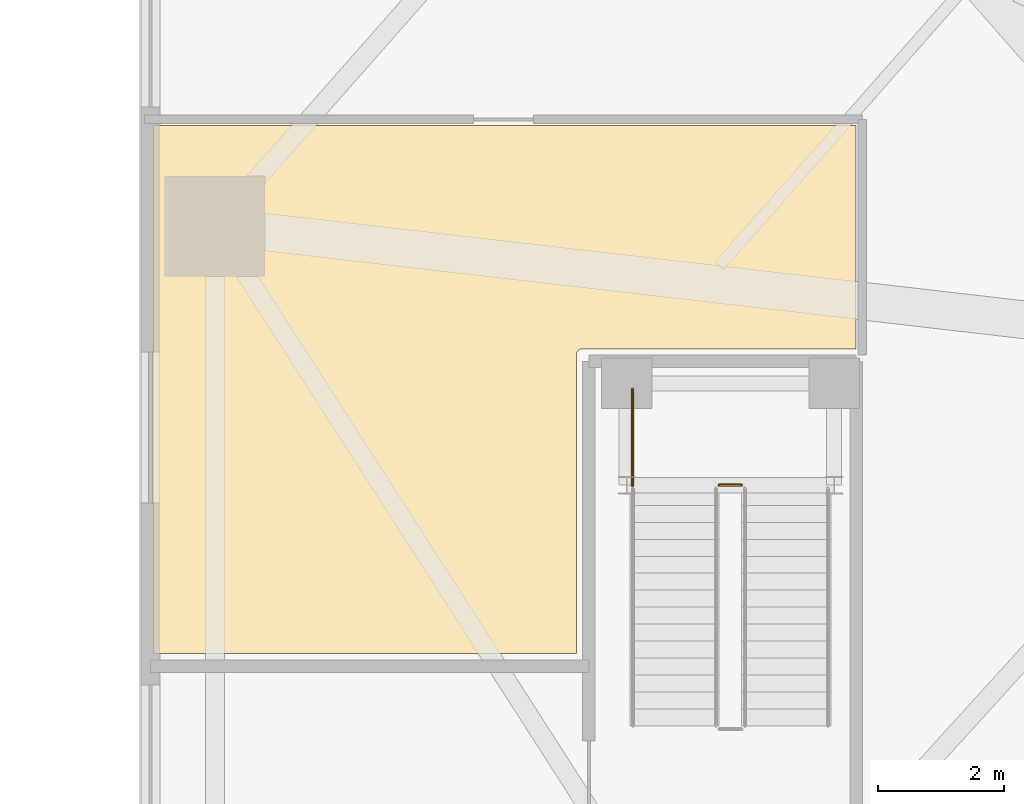
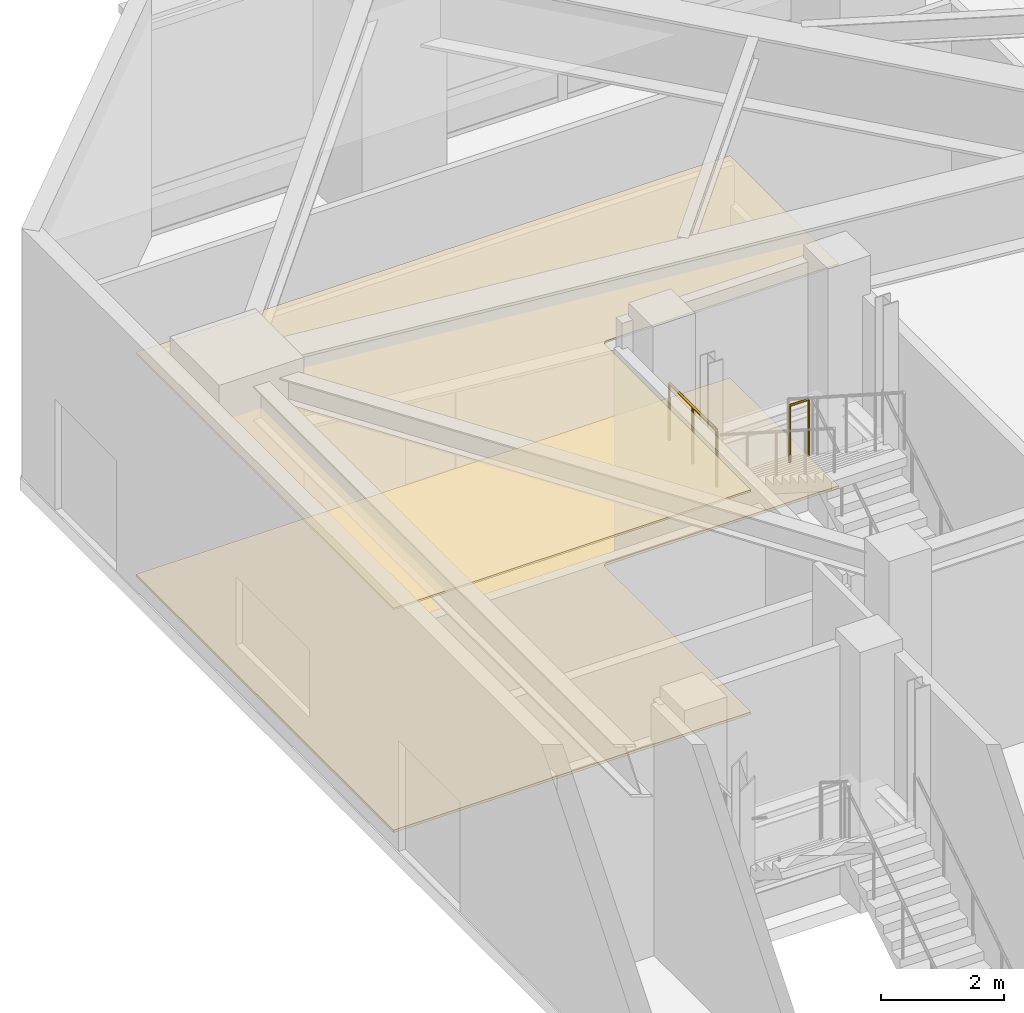
# One storey, part 25 of 30: 2 coverings, 2 railings.
"""IFC4 building model written with IfcOpenShell, lengths in metres."""

from ifc_helpers import new_model, si_unit, direction, frame, origin, origin_2d, place, context, subcontext, project, spatial, polyline, circle, outline, extrude, material, layer, layer_set, type_object, element, save


model = new_model("IFC4")

# Units and contexts
model_context = context("Model", 3, precision=1e-05, world=origin(), true_north=direction((0.0, 1.0)))
body_context = subcontext(model_context, "Body", "Model", "MODEL_VIEW")
ifc_project = project(units=[si_unit("LENGTHUNIT", "METRE"), si_unit("AREAUNIT", "SQUARE_METRE"), si_unit("VOLUMEUNIT", "CUBIC_METRE"), si_unit("PLANEANGLEUNIT", "RADIAN"), si_unit("MASSUNIT", "GRAM", prefix="KILO")], contexts=[model_context])

# Site, building, storey
site_placement = place(None, origin())
site = spatial("IfcSite", under=ifc_project, at=site_placement, CompositionType="ELEMENT")
building_placement = place(site_placement, origin())
building = spatial("IfcBuilding", under=site, at=building_placement, Name="Terralouvre Media Tower", CompositionType="ELEMENT")
storey_placement = place(building_placement, origin())
storey = spatial("IfcBuildingStorey", under=building, at=storey_placement, Name="L00", CompositionType="ELEMENT", Elevation=0.0)

# Coverings
ifc_material_1 = material(Name="Resilient elastomer acoustic broadcast studio flooring")
ifc_layer_1 = layer(ifc_material_1, 0.050048828125, Name="Broadcast Studio Acoustic Floating Floor FL-AC1")
ifc_layer_set_1 = layer_set([ifc_layer_1], Name="Resilient elastomer acoustic broadcast studio flooring")
covering_type_1 = type_object("IfcCoveringType", Name="Broadcast Studio Acoustic Floating Floor FL-AC1", PredefinedType="FLOORING", material=ifc_layer_set_1)
covering_1_placement = place(storey_placement, origin())
element("IfcCovering", 1, at=covering_1_placement, inside=storey, type_object=covering_type_1, Name="L00 Media Heritage Exhibition Hall Acoustic Floating Floor", PredefinedType="FLOORING", context=body_context, shape_type="SweptSolid", body=[
    extrude(outline(polyline([(-36.780029296875, 25.10009765625), (-36.780029296875, 16.699951171875), (-30.050048828125, 16.699951171875), (-30.050048828125, 21.449951171875), (-30.049560546875, 21.459716796875), (-30.048095703125, 21.469482421875), (-30.045654296875, 21.47900390625), (-30.04248046875, 21.48828125), (-30.0380859375, 21.4970703125), (-30.033203125, 21.505615234375), (-30.02734375, 21.513427734375), (-30.020751953125, 21.520751953125), (-30.013427734375, 21.52734375), (-30.005615234375, 21.533203125), (-29.9970703125, 21.5380859375), (-29.98828125, 21.54248046875), (-29.97900390625, 21.545654296875), (-29.969482421875, 21.548095703125), (-29.959716796875, 21.549560546875), (-29.949951171875, 21.550048828125), (-25.60009765625, 21.550048828125), (-25.60009765625, 25.10009765625), (-36.780029296875, 25.10009765625)])), origin(), (0.0, 0.0, 1.0), 0.050048828125),
])
ifc_material_2 = material(Name="Perforated aluminium acoustic ceiling baffle", Category="aluminium")
ifc_layer_2 = layer(ifc_material_2, 0.0400390625, Name="Perforated Acoustic Metal Tile Ceiling CL-AC1")
ifc_layer_set_2 = layer_set([ifc_layer_2], Name="Perforated aluminium acoustic ceiling baffle")
covering_type_2 = type_object("IfcCoveringType", Name="Perforated Acoustic Metal Tile Ceiling CL-AC1", PredefinedType="CEILING", material=ifc_layer_set_2)
covering_2_placement = place(storey_placement, frame((0.0, 0.0, 4.429931640625)))
element("IfcCovering", 2, at=covering_2_placement, inside=storey, type_object=covering_type_2, Name="L00 Media Heritage Exhibition Hall Acoustic Ceiling", PredefinedType="CEILING", context=body_context, shape_type="SweptSolid", body=[
    extrude(outline(polyline([(-36.780029296875, 25.10009765625), (-36.780029296875, 16.699951171875), (-30.050048828125, 16.699951171875), (-30.050048828125, 21.449951171875), (-30.049560546875, 21.459716796875), (-30.048095703125, 21.469482421875), (-30.045654296875, 21.47900390625), (-30.04248046875, 21.48828125), (-30.0380859375, 21.4970703125), (-30.033203125, 21.505615234375), (-30.02734375, 21.513427734375), (-30.020751953125, 21.520751953125), (-30.013427734375, 21.52734375), (-30.005615234375, 21.533203125), (-29.9970703125, 21.5380859375), (-29.98828125, 21.54248046875), (-29.97900390625, 21.545654296875), (-29.969482421875, 21.548095703125), (-29.959716796875, 21.549560546875), (-29.949951171875, 21.550048828125), (-25.60009765625, 21.550048828125), (-25.60009765625, 25.10009765625), (-36.780029296875, 25.10009765625)])), origin(), (0.0, 0.0, 1.0), 0.0400390625),
])

# Railings
ifc_material_3 = material(Name="Stainless steel 316 handrail and balustrade", Category="steel")
ifc_layer_3 = layer(ifc_material_3, 0.050048828125, Name="Stairwell Safety Guardrail GR-INT1")
ifc_layer_set_3 = layer_set([ifc_layer_3], Name="Stainless steel 316 handrail and balustrade")
railing_type = type_object("IfcRailingType", Name="Stairwell Safety Guardrail GR-INT1", PredefinedType="GUARDRAIL", material=ifc_layer_set_3)
railing_1_placement = place(storey_placement, frame((-27.419921875, 19.3798828125, 2.60009765625)))
element("IfcRailing", 3, at=railing_1_placement, inside=storey, type_object=railing_type, Name="L00 ST-06 stair guard 2", PredefinedType="GUARDRAIL", context=body_context, shape_type="SweptSolid", body=[
    extrude(circle(Radius=0.02392578125, at=origin_2d()), frame((0.0, 0.0, 1.1259765625), z_axis=(-1.0, 0.0, 0.0), x_axis=(0.0, -1.0, 0.0)), (0.0, 0.0, 1.0), 0.360107421875),
    extrude(circle(Radius=0.02099609375, at=origin_2d()), origin(), (0.0, 0.0, 1.0), 1.101806640625),
    extrude(circle(Radius=0.02099609375, at=origin_2d()), frame((-0.360107421875, 0.0, 0.0)), (0.0, 0.0, 1.0), 1.101806640625),
])
railing_2_placement = place(storey_placement, frame((-29.159912109375, 19.3701171875, 2.60009765625)))
element("IfcRailing", 4, at=railing_2_placement, inside=storey, type_object=railing_type, Name="L00 ST-06 Half-Landing Outer Guardrail", PredefinedType="GUARDRAIL", context=body_context, shape_type="SweptSolid", body=[
    extrude(circle(Radius=0.02392578125, at=origin_2d()), frame((0.0, 0.0, 1.1259765625), z_axis=(0.0, 1.0, 0.0), x_axis=(-1.0, 0.0, 0.0)), (0.0, 0.0, 1.0), 1.539794921875),
    extrude(circle(Radius=0.02099609375, at=origin_2d()), origin(), (0.0, 0.0, 1.0), 1.101806640625),
    extrude(circle(Radius=0.02099609375, at=origin_2d()), frame((0.0, 0.77001953125, 0.0)), (0.0, 0.0, 1.0), 1.101806640625),
    extrude(circle(Radius=0.02099609375, at=origin_2d()), frame((0.0, 1.539794921875, 0.0)), (0.0, 0.0, 1.0), 1.101806640625),
])

save(model, "model.ifc")
